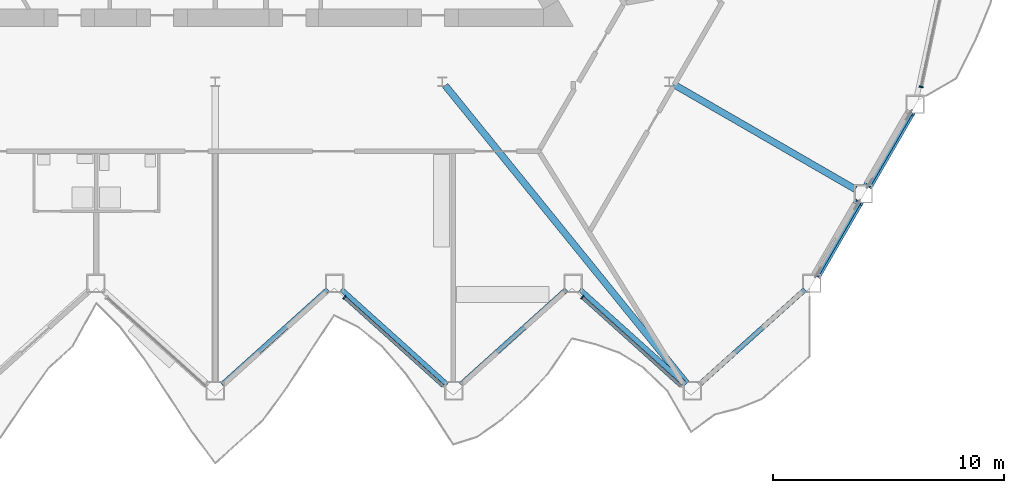
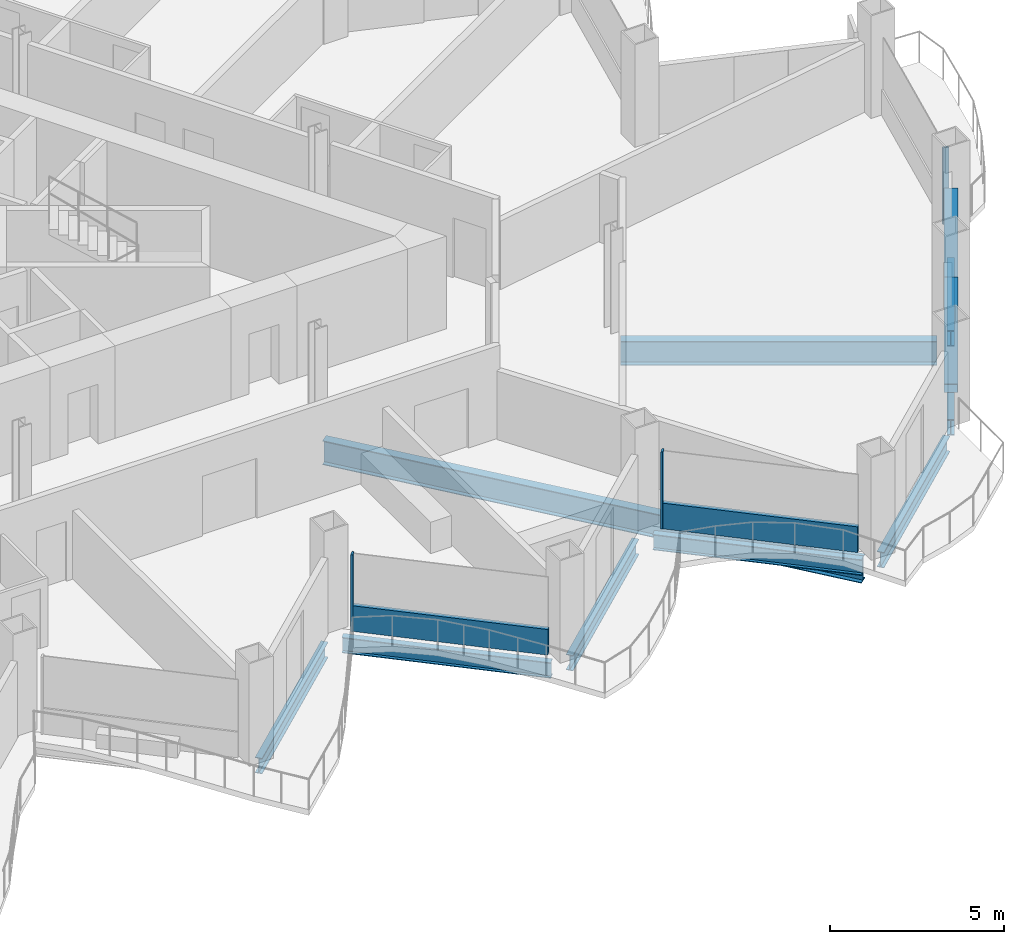
# One storey, part 6 of 24: 9 beams, 7 members, 3 elements without a shape of their own.
"""IFC4 building model written with IfcOpenShell, lengths in metres."""

from ifc_helpers import new_model, si_unit, direction, frame, origin, origin_2d, place, context, subcontext, project, spatial, rectangle, hollow_rectangle, i_section, extrude, material, layer, layer_set, material_profile, profile_set, type_object, element, aggregate, save


model = new_model("IFC4")

# Units and contexts
model_context = context("Model", 3, precision=1e-05, world=origin(), true_north=direction((0.0, 1.0)))
body_context = subcontext(model_context, "Body", "Model", "MODEL_VIEW")
ifc_project = project(units=[si_unit("LENGTHUNIT", "METRE"), si_unit("AREAUNIT", "SQUARE_METRE"), si_unit("VOLUMEUNIT", "CUBIC_METRE"), si_unit("PLANEANGLEUNIT", "RADIAN"), si_unit("MASSUNIT", "GRAM", prefix="KILO")], contexts=[model_context])

# Site, building, storey
site_placement = place(None, origin())
site = spatial("IfcSite", under=ifc_project, at=site_placement, CompositionType="ELEMENT")
building_placement = place(site_placement, origin())
building = spatial("IfcBuilding", under=site, at=building_placement, Name="Cormorant Prow Tower", CompositionType="ELEMENT")
storey_placement = place(building_placement, frame((0.0, 0.0, 205.199951171875)))
storey = spatial("IfcBuildingStorey", under=building, at=storey_placement, Name="L45", CompositionType="ELEMENT", Elevation=205.199951171875)

# Members
ifc_material_1 = material(Name="Structural steel ASTM A500 Gr C", Category="steel")
ifc_material_profile_1 = material_profile(ifc_material_1, hollow_rectangle(XDim=0.406494140625, YDim=0.406494140625, WallThickness=0.01171875, at=origin_2d()), Name="HSS16x16x1/2")
ifc_profile_set_1 = profile_set([ifc_material_profile_1], Name="Structural steel ASTM A500 Gr C")
member_type_1 = type_object("IfcMemberType", Name="Chamfer brace HSS16x16x1/2", PredefinedType="BRACE", material=ifc_profile_set_1)
member_1_placement = place(storey_placement, frame((26.0322265625, -19.7099609375, 0.739990234375), z_axis=(0.47400804529, 0.820968949664, 0.318318011883), x_axis=(-0.866015628144, 0.500016931523, 0.0)))
element("IfcMember", 1, at=member_1_placement, inside=storey, type_object=member_type_1, Name="Chamfer brace BR2 at ESE00 L45", PredefinedType="BRACE", context=body_context, shape_type="SweptSolid", body=[
    extrude(hollow_rectangle(XDim=0.406494140625, YDim=0.406494140625, WallThickness=0.01171875, at=origin_2d()), origin(), (0.0, 0.0, 1.0), 3.835693359375),
])
member_2_placement = place(storey_placement, frame((28.267333984375, -15.838623046875, 0.739990234375), z_axis=(0.473983276796, 0.820989698857, 0.31830137871), x_axis=(-0.866032413668, 0.499987858329, 0.0)))
element("IfcMember", 2, at=member_2_placement, inside=storey, type_object=member_type_1, Name="Chamfer brace BR2 at ESE01 L45", PredefinedType="BRACE", context=body_context, shape_type="SweptSolid", body=[
    extrude(hollow_rectangle(XDim=0.406494140625, YDim=0.406494140625, WallThickness=0.01171875, at=origin_2d()), origin(), (0.0, 0.0, 1.0), 3.8359375),
])

# Curtain wall, member
ifc_material_2 = material(Name="Aluminium 6063-T6", Category="aluminium")
ifc_layer = layer(ifc_material_2, 0.179931640625)
ifc_layer_set = layer_set([ifc_layer], Name="Aluminium 6063-T6")
curtain_wall_type = type_object("IfcCurtainWallType", Name="Hotel unitised curtain wall 180", PredefinedType="NOTDEFINED", material=ifc_layer_set)
curtain_wall_1_placement = place(storey_placement, origin())
curtain_wall_1 = element("IfcCurtainWall", 3, at=curtain_wall_1_placement, inside=storey, type_object=curtain_wall_type, Name="Hotel curtain wall S06", PredefinedType="NOTDEFINED")
ifc_material_3 = material(Name="Aluminium 6063-T6", Category="aluminium")
ifc_material_profile_2 = material_profile(ifc_material_3, rectangle(XDim=0.179931640625, YDim=0.06005859375, at=origin_2d()), Name="Hotel mullion 60x180")
ifc_profile_set_2 = profile_set([ifc_material_profile_2], Name="Aluminium 6063-T6")
member_type_2 = type_object("IfcMemberType", Name="Hotel mullion 60x180", PredefinedType="MULLION", material=ifc_profile_set_2)
member_3_placement = place(storey_placement, frame((5.592529296875, -20.68017578125, 0.0), z_axis=(0.0, 0.0, 1.0), x_axis=(0.669130595853, 0.743144834937, 0.0)))
member_3 = element("IfcMember", 4, at=member_3_placement, type_object=member_type_2, Name="Hotel mullion S06", PredefinedType="MULLION", context=body_context, shape_type="SweptSolid", body=[
    extrude(rectangle(XDim=0.179931640625, YDim=0.06005859375, at=origin_2d()), origin(), (0.0, 0.0, 1.0), 2.700927734375),
])

curtain_wall_2_placement = place(storey_placement, origin())
curtain_wall_2 = element("IfcCurtainWall", 5, at=curtain_wall_2_placement, inside=storey, type_object=curtain_wall_type, Name="Hotel curtain wall S08", PredefinedType="NOTDEFINED")
member_4_placement = place(storey_placement, frame((15.888427734375, -20.68017578125, 0.0), z_axis=(0.0, 0.0, 1.0), x_axis=(0.669130667631, 0.743144770308, 0.0)))
member_4 = element("IfcMember", 6, at=member_4_placement, type_object=member_type_2, Name="Hotel mullion S08", PredefinedType="MULLION", context=body_context, shape_type="SweptSolid", body=[
    extrude(rectangle(XDim=0.179931640625, YDim=0.06005859375, at=origin_2d()), origin(), (0.0, 0.0, 1.0), 2.700927734375),
])

curtain_wall_3_placement = place(storey_placement, origin())
curtain_wall_3 = element("IfcCurtainWall", 7, at=curtain_wall_3_placement, inside=storey, type_object=curtain_wall_type, Name="Hotel curtain wall ENE00", PredefinedType="NOTDEFINED")
member_5_placement = place(storey_placement, frame((30.557373046875, -11.566650390625, 0.0), z_axis=(0.0, 0.0, 1.0), x_axis=(-0.978147605448, 0.207911668641, 0.0)))
member_5 = element("IfcMember", 8, at=member_5_placement, type_object=member_type_2, Name="Hotel mullion ENE00", PredefinedType="MULLION", context=body_context, shape_type="SweptSolid", body=[
    extrude(rectangle(XDim=0.179931640625, YDim=0.06005859375, at=origin_2d()), origin(), (0.0, 0.0, 1.0), 2.700927734375),
])
aggregate(curtain_wall_3, [member_5])

# Member
ifc_material_4 = material(Name="Terracotta", Category="masonry")
ifc_material_profile_3 = material_profile(ifc_material_4, rectangle(XDim=0.139892578125, YDim=0.89990234375, at=origin_2d()), Name="Hotel terracotta spandrel rail 140x900")
ifc_profile_set_3 = profile_set([ifc_material_profile_3], Name="Terracotta")
member_type_3 = type_object("IfcMemberType", Name="Hotel terracotta spandrel rail 140x900", PredefinedType="USERDEFINED", material=ifc_profile_set_3)
member_6_placement = place(storey_placement, frame((5.61474609375, -20.7001953125, 0.449951171875), z_axis=(0.743154335217, -0.669120044572, 0.0), x_axis=(0.669120044572, 0.743154335217, 0.0)))
member_6 = element("IfcMember", 9, at=member_6_placement, type_object=member_type_3, Name="Hotel spandrel rail S06", ObjectType="TRANSOM", PredefinedType="USERDEFINED", context=body_context, shape_type="SweptSolid", body=[
    extrude(rectangle(XDim=0.139892578125, YDim=0.89990234375, at=origin_2d()), origin(), (0.0, 0.0, 1.0), 5.7314453125),
])

aggregate(curtain_wall_1, [member_3, member_6])

member_7_placement = place(storey_placement, frame((15.910888671875, -20.7001953125, 0.449951171875), z_axis=(0.743135262532, -0.669141226933, 0.0), x_axis=(0.669141226933, 0.743135262532, 0.0)))
member_7 = element("IfcMember", 10, at=member_7_placement, type_object=member_type_3, Name="Hotel spandrel rail S08", ObjectType="TRANSOM", PredefinedType="USERDEFINED", context=body_context, shape_type="SweptSolid", body=[
    extrude(rectangle(XDim=0.139892578125, YDim=0.89990234375, at=origin_2d()), origin(), (0.0, 0.0, 1.0), 5.731201171875),
])

aggregate(curtain_wall_2, [member_4, member_7])

# Beams
ifc_material_5 = material(Name="Structural steel ASTM A992 Gr 50", Category="steel")
ifc_material_profile_4 = material_profile(ifc_material_5, i_section(OverallWidth=0.29296875, OverallDepth=0.845703125, WebThickness=0.015380859375, FlangeThickness=0.0244140625, at=origin_2d()), Name="W33x141")
ifc_profile_set_4 = profile_set([ifc_material_profile_4], Name="Structural steel ASTM A992 Gr 50")
beam_type_1 = type_object("IfcBeamType", Name="Radial floor beam W33x141", PredefinedType="BEAM", material=ifc_profile_set_4)
beam_1_placement = place(storey_placement, frame((9.95654296875, -11.50732421875, -0.77294921875), z_axis=(0.629385162657, -0.777093505974, 0.0), x_axis=(0.777093505974, 0.629385162657, 0.0)))
element("IfcBeam", 11, at=beam_1_placement, inside=storey, type_object=beam_type_1, Name="Radial floor beam FB2 8 L45", PredefinedType="BEAM", context=body_context, shape_type="SweptSolid", body=[
    extrude(i_section(OverallWidth=0.29296875, OverallDepth=0.845703125, WebThickness=0.015380859375, FlangeThickness=0.0244140625, at=origin_2d()), origin(), (0.0, 0.0, 1.0), 16.6044921875),
])
beam_2_placement = place(storey_placement, frame((19.833251953125, -11.45068359375, -0.77294921875), z_axis=(0.866023373109, -0.500003517217, 0.0), x_axis=(0.500003517217, 0.866023373109, 0.0)))
element("IfcBeam", 12, at=beam_2_placement, inside=storey, type_object=beam_type_1, Name="Radial floor beam FB2 9 L45", PredefinedType="BEAM", context=body_context, shape_type="SweptSolid", body=[
    extrude(i_section(OverallWidth=0.29296875, OverallDepth=0.845703125, WebThickness=0.015380859375, FlangeThickness=0.0244140625, at=origin_2d()), origin(), (0.0, 0.0, 1.0), 9.09814453125),
])
ifc_material_6 = material(Name="Structural steel ASTM A992 Gr 50", Category="steel")
ifc_material_profile_5 = material_profile(ifc_material_6, i_section(OverallWidth=0.2138671875, OverallDepth=0.549072265625, WebThickness=0.0146484375, FlangeThickness=0.023681640625, at=origin_2d()), Name="W21x93")
ifc_profile_set_5 = profile_set([ifc_material_profile_5], Name="Structural steel ASTM A992 Gr 50")
beam_type_2 = type_object("IfcBeamType", Name="Spandrel beam W21x93", PredefinedType="SPANDREL", material=ifc_profile_set_5)
beam_3_placement = place(storey_placement, frame((0.29736328125, -24.453857421875, -0.62451171875), z_axis=(0.743138178716, 0.669137988261, 0.0), x_axis=(-0.669137988261, 0.743138178716, 0.0)))
element("IfcBeam", 13, at=beam_3_placement, inside=storey, type_object=beam_type_2, Name="Spandrel beam SB2 S05-S06 L45", PredefinedType="SPANDREL", context=body_context, shape_type="SweptSolid", body=[
    extrude(i_section(OverallWidth=0.2138671875, OverallDepth=0.549072265625, WebThickness=0.0146484375, FlangeThickness=0.023681640625, at=origin_2d()), origin(), (0.0, 0.0, 1.0), 6.149658203125),
])
beam_4_placement = place(storey_placement, frame((5.4619140625, -20.3388671875, -0.62451171875), z_axis=(0.743155953285, -0.669118247469, 0.0), x_axis=(0.669118247469, 0.743155953285, 0.0)))
element("IfcBeam", 14, at=beam_4_placement, inside=storey, type_object=beam_type_2, Name="Spandrel beam SB2 S06-S07 L45", PredefinedType="SPANDREL", context=body_context, shape_type="SweptSolid", body=[
    extrude(i_section(OverallWidth=0.2138671875, OverallDepth=0.549072265625, WebThickness=0.0146484375, FlangeThickness=0.023681640625, at=origin_2d()), origin(), (0.0, 0.0, 1.0), 6.14990234375),
])
for number, where, z_axis, x_axis, name in (
    (15, (10.626708984375, -24.453857421875, -0.62451171875), (0.743138178716, 0.669137988261, 0.0), (-0.669137988261, 0.743138178716, 0.0), "Spandrel beam SB2 S07-S08 L45"),
    (16, (15.79150390625, -20.3388671875, -0.62451171875), (0.743138178716, -0.669137988261, 0.0), (0.669137988261, 0.743138178716, 0.0), "Spandrel beam SB2 S08-S09 L45"),
):
    element("IfcBeam", number, at=place(storey_placement, frame(where, z_axis=z_axis, x_axis=x_axis)), inside=storey, type_object=beam_type_2, Name=name, PredefinedType="SPANDREL", context=body_context, shape_type="SweptSolid", body=[
        extrude(i_section(OverallWidth=0.2138671875, OverallDepth=0.549072265625, WebThickness=0.0146484375, FlangeThickness=0.023681640625, at=origin_2d()), origin(), (0.0, 0.0, 1.0), 6.149658203125),
    ])
beam_5_placement = place(storey_placement, frame((20.9560546875, -24.453857421875, -0.62451171875), z_axis=(0.743155953285, 0.669118247469, 0.0), x_axis=(-0.669118247469, 0.743155953285, 0.0)))
element("IfcBeam", 17, at=beam_5_placement, inside=storey, type_object=beam_type_2, Name="Spandrel beam SB2 S09-ESE00 L45", PredefinedType="SPANDREL", context=body_context, shape_type="SweptSolid", body=[
    extrude(i_section(OverallWidth=0.2138671875, OverallDepth=0.549072265625, WebThickness=0.0146484375, FlangeThickness=0.023681640625, at=origin_2d()), origin(), (0.0, 0.0, 1.0), 6.14990234375),
])
for number, where, z_axis, x_axis, name in (
    (18, (26.023681640625, -19.724853515625, -0.62451171875), (0.499994986164, 0.866028298505, 0.0), (-0.866028298505, 0.499994986164, 0.0), "Spandrel beam SB2 ESE00-ESE01 L45"),
    (19, (28.2587890625, -15.853271484375, -0.62451171875), (0.499994986164, 0.866028298505, 0.0), (-0.866028298505, 0.499994986164, 0.0), "Spandrel beam SB2 ESE01-ENE00 L45"),
):
    element("IfcBeam", number, at=place(storey_placement, frame(where, z_axis=z_axis, x_axis=x_axis)), inside=storey, type_object=beam_type_2, Name=name, PredefinedType="SPANDREL", context=body_context, shape_type="SweptSolid", body=[
        extrude(i_section(OverallWidth=0.2138671875, OverallDepth=0.549072265625, WebThickness=0.0146484375, FlangeThickness=0.023681640625, at=origin_2d()), origin(), (0.0, 0.0, 1.0), 3.67041015625),
    ])

save(model, "model.ifc")
